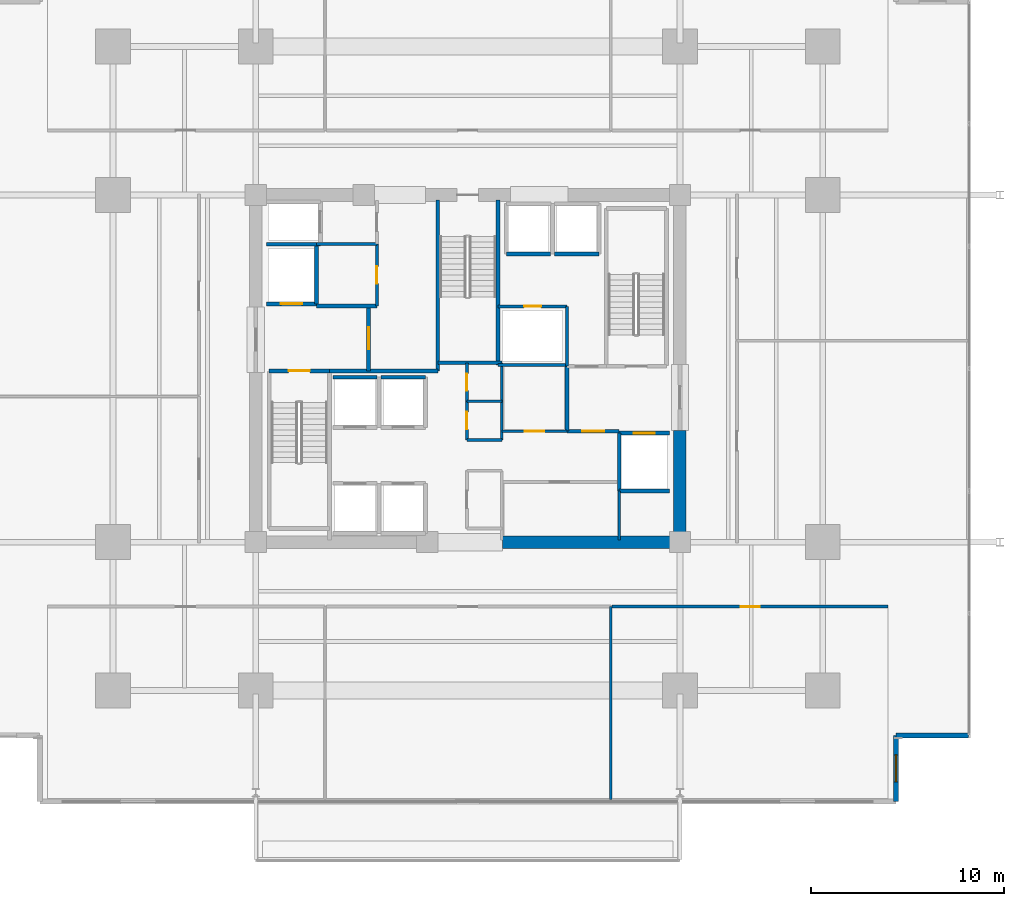
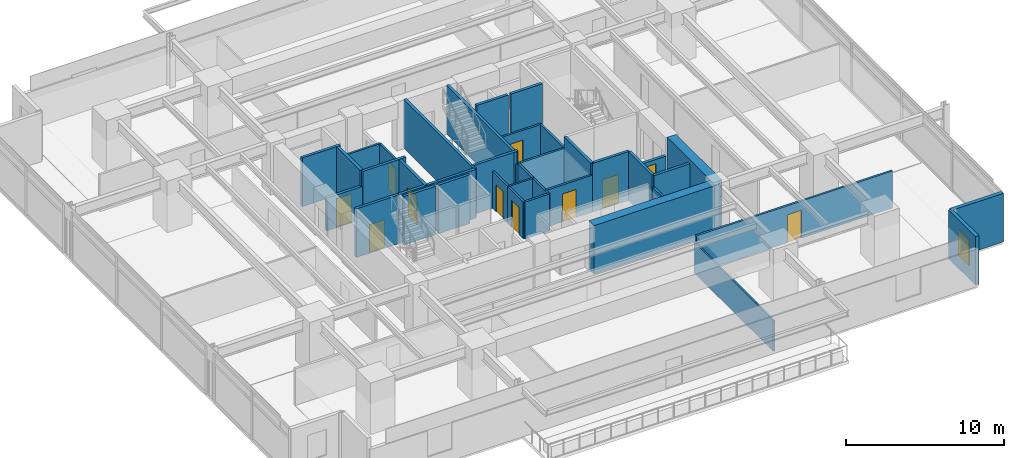
# One storey, part 18 of 25: 37 walls, 11 doors, 1 window, 12 openings.
"""IFC4 building model written with IfcOpenShell, lengths in metres."""

from ifc_helpers import new_model, si_unit, direction, frame, frame_2d, origin, place, context, subcontext, project, spatial, rectangle, extrude, material, layer, layer_set, type_object, element, fill, save


model = new_model("IFC4")

# Units and contexts
model_context = context("Model", 3, precision=1e-05, world=origin(), true_north=direction((0.0, 1.0)))
body_context = subcontext(model_context, "Body", "Model", "MODEL_VIEW")
ifc_project = project(units=[si_unit("LENGTHUNIT", "METRE"), si_unit("AREAUNIT", "SQUARE_METRE"), si_unit("VOLUMEUNIT", "CUBIC_METRE"), si_unit("PLANEANGLEUNIT", "RADIAN"), si_unit("MASSUNIT", "GRAM", prefix="KILO")], contexts=[model_context])

# Site, building, storey
site_placement = place(None, origin())
site = spatial("IfcSite", under=ifc_project, at=site_placement, CompositionType="ELEMENT")
building_placement = place(site_placement, origin())
building = spatial("IfcBuilding", under=site, at=building_placement, Name="Kovane Verandah Tower", CompositionType="ELEMENT")
storey_placement = place(building_placement, frame((0.0, 0.0, 67.60009765625)))
storey = spatial("IfcBuildingStorey", under=building, at=storey_placement, Name="L15", CompositionType="ELEMENT", Elevation=67.60009765625)

# Walls
ifc_material_1 = material(Name="Fire-Rated Gypsum Stud Partition", Category="gypsum")
ifc_layer_1 = layer(ifc_material_1, 0.14990234375)
ifc_layer_set_1 = layer_set([ifc_layer_1], Name="Fire-Rated Gypsum Stud Partition")
wall_type_1 = type_object("IfcWallType", Name="WL-COR-150", PredefinedType="PARTITIONING", material=ifc_layer_set_1)
wall_1_placement = place(storey_placement, frame((39.949951171875, 23.800048828125, 0.0), z_axis=(0.0, 0.0, 1.0), x_axis=(1.0, 0.0, 0.0)))
element("IfcWall", 1, at=wall_1_placement, inside=storey, type_object=wall_type_1, Name="L15 Core Cross-Passage North Wall", PredefinedType="PARTITIONING", context=body_context, shape_type="SweptSolid", body=[
    extrude(rectangle(XDim=1.81005859375, YDim=0.14990234375, at=frame_2d((0.905029296875, 0.0))), origin(), (0.0, 0.0, 1.0), 2.849853515625),
])
wall_2_placement = place(storey_placement, frame((41.760009765625, 23.800048828125, 0.0), z_axis=(0.0, 0.0, 1.0), x_axis=(0.0, 1.0, 0.0)))
element("IfcWall", 2, at=wall_2_placement, inside=storey, type_object=wall_type_1, Name="L15 Central Core Strip Upper East Wall", PredefinedType="PARTITIONING", context=body_context, shape_type="SweptSolid", body=[
    extrude(rectangle(XDim=4.0, YDim=0.14990234375, at=frame_2d((2.0, 0.0))), origin(), (0.0, 0.0, 1.0), 2.849853515625),
])

# Wall, opening, door
wall_3_placement = place(storey_placement, frame((39.949951171875, 23.800048828125, 0.0), z_axis=(0.0, 0.0, 1.0), x_axis=(0.0, 1.0, 0.0)))
wall_3 = element("IfcWall", 3, at=wall_3_placement, inside=storey, type_object=wall_type_1, Name="L15 Female Toilet Partition", PredefinedType="PARTITIONING", context=body_context, shape_type="SweptSolid", body=[
    extrude(rectangle(XDim=2.0, YDim=0.14990234375, at=frame_2d((1.0, 0.0))), origin(), (0.0, 0.0, 1.0), 2.849853515625),
])
opening_1_placement = place(wall_3_placement, frame((0.550048828125, 0.0, 0.0)))
opening_1 = element("IfcOpeningElement", 4, at=opening_1_placement, cuts=wall_3, Name="Opening DR-L15-025", PredefinedType="OPENING", context=body_context, shape_type="SweptSolid", body=[
    extrude(rectangle(XDim=0.89990234375, YDim=2.10009765625, at=frame_2d((0.449951171875, 1.050048828125))), frame((0.0, 0.074951171875, 0.0), z_axis=(0.0, -1.0, 0.0), x_axis=(1.0, 0.0, 0.0)), (0.0, 0.0, 1.0), 0.14990234375),
])
ifc_material_2 = material(Name="Moisture-Resistant Laminate Washroom Door", Category="wood")
door_type_1 = type_object("IfcDoorType", Name="DR-WC-900", OperationType="SINGLE_SWING_LEFT", PredefinedType="DOOR", material=ifc_material_2)
door_1_placement = place(opening_1_placement, origin())
door_1 = element("IfcDoor", 5, at=door_1_placement, inside=storey, type_object=door_type_1, Name="L15 Female Toilet Door", OperationType="SINGLE_SWING_LEFT", OverallHeight=2.10009765625, OverallWidth=0.89990234375, PredefinedType="DOOR", context=body_context, shape_type="SweptSolid", body=[
    extrude(rectangle(XDim=0.89990234375, YDim=2.10009765625, at=frame_2d((0.449951171875, 1.050048828125))), frame((0.0, 0.02490234375, 0.0), z_axis=(0.0, -1.0, 0.0), x_axis=(1.0, 0.0, 0.0)), (0.0, 0.0, 1.0), 0.050048828125),
])
fill(opening_1, door_1)

wall_4_placement = place(storey_placement, frame((39.949951171875, 25.800048828125, 0.0), z_axis=(0.0, 0.0, 1.0), x_axis=(0.0, 1.0, 0.0)))
wall_4 = element("IfcWall", 6, at=wall_4_placement, inside=storey, type_object=wall_type_1, Name="L15 Telecom and BMS Riser Room Partition", PredefinedType="PARTITIONING", context=body_context, shape_type="SweptSolid", body=[
    extrude(rectangle(XDim=2.0, YDim=0.14990234375, at=frame_2d((1.0, 0.0))), origin(), (0.0, 0.0, 1.0), 2.849853515625),
])
opening_2_placement = place(wall_4_placement, frame((0.56005859375, 0.0, 0.0)))
opening_2 = element("IfcOpeningElement", 7, at=opening_2_placement, cuts=wall_4, Name="Opening DR-L15-023", PredefinedType="OPENING", context=body_context, shape_type="SweptSolid", body=[
    extrude(rectangle(XDim=0.8798828125, YDim=2.10009765625, at=frame_2d((0.43994140625, 1.050048828125))), frame((0.0, 0.074951171875, 0.0), z_axis=(0.0, -1.0, 0.0), x_axis=(1.0, 0.0, 0.0)), (0.0, 0.0, 1.0), 0.14990234375),
])
ifc_material_3 = material(Name="Fire-Rated Steel Riser Access Door", Category="steel")
door_type_2 = type_object("IfcDoorType", Name="DR-RISER-880", OperationType="SINGLE_SWING_LEFT", PredefinedType="DOOR", material=ifc_material_3)
door_2_placement = place(opening_2_placement, origin())
door_2 = element("IfcDoor", 8, at=door_2_placement, inside=storey, type_object=door_type_2, Name="L15 Telecom and BMS Riser Room Door", OperationType="SINGLE_SWING_RIGHT", OverallHeight=2.10009765625, OverallWidth=0.8798828125, PredefinedType="DOOR", context=body_context, shape_type="SweptSolid", body=[
    extrude(rectangle(XDim=0.8798828125, YDim=2.10009765625, at=frame_2d((0.43994140625, 1.050048828125))), frame((0.0, 0.02490234375, 0.0), z_axis=(0.0, -1.0, 0.0), x_axis=(1.0, 0.0, 0.0)), (0.0, 0.0, 1.0), 0.050048828125),
])
fill(opening_2, door_2)

# Wall
wall_5_placement = place(storey_placement, frame((32.14990234375, 33.949951171875, 0.0), z_axis=(0.0, 0.0, 1.0), x_axis=(1.0, 0.0, 0.0)))
element("IfcWall", 9, at=wall_5_placement, inside=storey, type_object=wall_type_1, Name="L15 Goods Lift Lobby South Wall", PredefinedType="PARTITIONING", context=body_context, shape_type="SweptSolid", body=[
    extrude(rectangle(XDim=3.130126953125, YDim=0.14990234375, at=frame_2d((1.56494140625, 0.0))), origin(), (0.0, 0.0, 1.0), 2.849853515625),
])

# Wall, opening, door
wall_6_placement = place(storey_placement, frame((35.280029296875, 30.75, 0.0), z_axis=(0.0, 0.0, 1.0), x_axis=(0.0, 1.0, 0.0)))
wall_6 = element("IfcWall", 10, at=wall_6_placement, inside=storey, type_object=wall_type_1, Name="L15 Accessible Unisex Toilet Partition", PredefinedType="PARTITIONING", context=body_context, shape_type="SweptSolid", body=[
    extrude(rectangle(XDim=3.199951171875, YDim=0.14990234375, at=frame_2d((1.60009765625, 0.0))), origin(), (0.0, 0.0, 1.0), 2.849853515625),
])
opening_3_placement = place(wall_6_placement, frame((1.14990234375, 0.0, 0.0)))
opening_3 = element("IfcOpeningElement", 11, at=opening_3_placement, cuts=wall_6, Name="Opening DR-L15-024", PredefinedType="OPENING", context=body_context, shape_type="SweptSolid", body=[
    extrude(rectangle(XDim=0.89990234375, YDim=2.10009765625, at=frame_2d((0.449951171875, 1.050048828125))), frame((0.0, 0.074951171875, 0.0), z_axis=(0.0, -1.0, 0.0), x_axis=(1.0, 0.0, 0.0)), (0.0, 0.0, 1.0), 0.14990234375),
])
door_3_placement = place(opening_3_placement, origin())
door_3 = element("IfcDoor", 12, at=door_3_placement, inside=storey, type_object=door_type_1, Name="L15 Accessible Unisex Toilet Door", OperationType="SINGLE_SWING_RIGHT", OverallHeight=2.10009765625, OverallWidth=0.89990234375, PredefinedType="DOOR", context=body_context, shape_type="SweptSolid", body=[
    extrude(rectangle(XDim=0.89990234375, YDim=2.10009765625, at=frame_2d((0.449951171875, 1.050048828125))), frame((0.0, 0.02490234375, 0.0), z_axis=(0.0, -1.0, 0.0), x_axis=(1.0, 0.0, 0.0)), (0.0, 0.0, 1.0), 0.050048828125),
])
fill(opening_3, door_3)

# Walls
wall_7_placement = place(storey_placement, frame((41.56005859375, 27.679931640625, 0.0), z_axis=(0.0, 0.0, 1.0), x_axis=(1.0, 0.0, 0.0)))
element("IfcWall", 13, at=wall_7_placement, inside=storey, type_object=wall_type_1, Name="L15 East Core Service Riser South Wall", PredefinedType="PARTITIONING", context=body_context, shape_type="SweptSolid", body=[
    extrude(rectangle(XDim=3.58984375, YDim=0.14990234375, at=frame_2d((1.794921875, 0.0))), origin(), (0.0, 0.0, 1.0), 2.849853515625),
])
wall_8_placement = place(storey_placement, frame((47.85009765625, 18.60009765625, 0.0), z_axis=(0.0, 0.0, 1.0), x_axis=(0.0, 1.0, 0.0)))
element("IfcWall", 14, at=wall_8_placement, inside=storey, type_object=wall_type_1, Name="L15 East Core Support East Wall", PredefinedType="PARTITIONING", context=body_context, shape_type="SweptSolid", body=[
    extrude(rectangle(XDim=2.539794921875, YDim=0.14990234375, at=frame_2d((1.27001953125, 0.0))), origin(), (0.0, 0.0, 1.0), 2.849853515625),
])

# Wall, opening, door
wall_9_placement = place(storey_placement, frame((41.760009765625, 24.25, 0.0), z_axis=(0.0, 0.0, 1.0), x_axis=(1.0, 0.0, 0.0)))
wall_9 = element("IfcWall", 15, at=wall_9_placement, inside=storey, type_object=wall_type_1, Name="L15 Document Archive Room Partition", PredefinedType="PARTITIONING", context=body_context, shape_type="SweptSolid", body=[
    extrude(rectangle(XDim=3.389892578125, YDim=0.14990234375, at=frame_2d((1.69482421875, 0.0))), origin(), (0.0, 0.0, 1.0), 2.849853515625),
])
opening_4_placement = place(wall_9_placement, frame((1.195068359375, 0.0, 0.0)))
opening_4 = element("IfcOpeningElement", 16, at=opening_4_placement, cuts=wall_9, Name="Opening DR-L15-015", PredefinedType="OPENING", context=body_context, shape_type="SweptSolid", body=[
    extrude(rectangle(XDim=1.0, YDim=2.14990234375, at=frame_2d((0.5, 1.074951171875))), frame((0.0, 0.074951171875, 0.0), z_axis=(0.0, -1.0, 0.0), x_axis=(1.0, 0.0, 0.0)), (0.0, 0.0, 1.0), 0.14990234375),
])
ifc_material_4 = material(Name="FSC Spotted-Gum Timber Fire-Rated Office Door", Category="wood")
door_type_3 = type_object("IfcDoorType", Name="DR-OFF-1000", OperationType="SINGLE_SWING_LEFT", PredefinedType="DOOR", material=ifc_material_4)
door_4_placement = place(opening_4_placement, origin())
door_4 = element("IfcDoor", 17, at=door_4_placement, inside=storey, type_object=door_type_3, Name="L15 Document Archive Room Door", OperationType="SINGLE_SWING_RIGHT", OverallHeight=2.14990234375, OverallWidth=1.0, PredefinedType="DOOR", context=body_context, shape_type="SweptSolid", body=[
    extrude(rectangle(XDim=1.0, YDim=2.14990234375, at=frame_2d((0.5, 1.074951171875))), frame((0.0, 0.02490234375, 0.0), z_axis=(0.0, -1.0, 0.0), x_axis=(1.0, 0.0, 0.0)), (0.0, 0.0, 1.0), 0.050048828125),
])
fill(opening_4, door_4)

# Wall
wall_10_placement = place(storey_placement, frame((45.14990234375, 27.6201171875, 0.0), z_axis=(0.0, 0.0, 1.0), x_axis=(0.0, 1.0, 0.0)))
element("IfcWall", 18, at=wall_10_placement, inside=storey, type_object=wall_type_1, Name="L15 East Core Service Riser East Wall", PredefinedType="PARTITIONING", context=body_context, shape_type="SweptSolid", body=[
    extrude(rectangle(XDim=3.099853515625, YDim=0.14990234375, at=frame_2d((1.5498046875, 0.0))), origin(), (0.0, 0.0, 1.0), 2.849853515625),
])

# Wall, opening, door
wall_11_placement = place(storey_placement, frame((41.56005859375, 30.719970703125, 0.0), z_axis=(0.0, 0.0, 1.0), x_axis=(1.0, 0.0, 0.0)))
wall_11 = element("IfcWall", 19, at=wall_11_placement, inside=storey, type_object=wall_type_1, Name="L15 Combined Chilled Water and Smoke Duct Room Partition", PredefinedType="PARTITIONING", context=body_context, shape_type="SweptSolid", body=[
    extrude(rectangle(XDim=3.58984375, YDim=0.14990234375, at=frame_2d((1.794921875, 0.0))), origin(), (0.0, 0.0, 1.0), 2.849853515625),
])
opening_5_placement = place(wall_11_placement, frame((1.35498046875, 0.0, 0.0)))
opening_5 = element("IfcOpeningElement", 20, at=opening_5_placement, cuts=wall_11, Name="Opening DR-L15-016", PredefinedType="OPENING", context=body_context, shape_type="SweptSolid", body=[
    extrude(rectangle(XDim=0.8798828125, YDim=2.10009765625, at=frame_2d((0.43994140625, 1.050048828125))), frame((0.0, 0.074951171875, 0.0), z_axis=(0.0, -1.0, 0.0), x_axis=(1.0, 0.0, 0.0)), (0.0, 0.0, 1.0), 0.14990234375),
])
door_5_placement = place(opening_5_placement, origin())
door_5 = element("IfcDoor", 21, at=door_5_placement, inside=storey, type_object=door_type_2, Name="L15 Combined Chilled Water and Smoke Duct Room Door", OperationType="SINGLE_SWING_LEFT", OverallHeight=2.10009765625, OverallWidth=0.8798828125, PredefinedType="DOOR", context=body_context, shape_type="SweptSolid", body=[
    extrude(rectangle(XDim=0.8798828125, YDim=2.10009765625, at=frame_2d((0.43994140625, 1.050048828125))), frame((0.0, 0.02490234375, 0.0), z_axis=(0.0, -1.0, 0.0), x_axis=(1.0, 0.0, 0.0)), (0.0, 0.0, 1.0), 0.050048828125),
])
fill(opening_5, door_5)

wall_12_placement = place(storey_placement, frame((47.482421875, 15.14990234375, 0.0), z_axis=(0.0, 0.0, 1.0), x_axis=(1.0, 0.0, 0.0)))
wall_12 = element("IfcWall", 22, at=wall_12_placement, inside=storey, type_object=wall_type_1, Name="L15 Open Plan Office S3 Corridor Partition", PredefinedType="PARTITIONING", context=body_context, shape_type="SweptSolid", body=[
    extrude(rectangle(XDim=14.318603515625, YDim=0.14990234375, at=frame_2d((7.1591796875, 0.0))), origin(), (0.0, 0.0, 1.0), 2.849853515625),
])
opening_6_placement = place(wall_12_placement, frame((6.659423828125, 0.0, 0.0)))
opening_6 = element("IfcOpeningElement", 23, at=opening_6_placement, cuts=wall_12, Name="Opening DR-L15-022", PredefinedType="OPENING", context=body_context, shape_type="SweptSolid", body=[
    extrude(rectangle(XDim=1.0, YDim=2.14990234375, at=frame_2d((0.5, 1.074951171875))), frame((0.0, 0.074951171875, 0.0), z_axis=(0.0, -1.0, 0.0), x_axis=(1.0, 0.0, 0.0)), (0.0, 0.0, 1.0), 0.14990234375),
])
door_6_placement = place(opening_6_placement, origin())
door_6 = element("IfcDoor", 24, at=door_6_placement, inside=storey, type_object=door_type_3, Name="L15 Open Plan Office S3 Entrance Door", OperationType="SINGLE_SWING_LEFT", OverallHeight=2.14990234375, OverallWidth=1.0, PredefinedType="DOOR", context=body_context, shape_type="SweptSolid", body=[
    extrude(rectangle(XDim=1.0, YDim=2.14990234375, at=frame_2d((0.5, 1.074951171875))), frame((0.0, 0.02490234375, 0.0), z_axis=(0.0, -1.0, 0.0), x_axis=(1.0, 0.0, 0.0)), (0.0, 0.0, 1.0), 0.050048828125),
])
fill(opening_6, door_6)

# Walls
ifc_material_5 = material(Name="Concrete C80/95", Category="concrete")
ifc_layer_2 = layer(ifc_material_5, 0.64990234375)
ifc_layer_set_2 = layer_set([ifc_layer_2], Name="Concrete C80/95")
wall_type_2 = type_object("IfcWallType", Name="WL-CORE-650", PredefinedType="SHEAR", material=ifc_layer_set_2)
wall_13_placement = place(storey_placement, frame((41.800048828125, 18.5, 0.0), z_axis=(0.0, 0.0, 1.0), x_axis=(1.0, 0.0, 0.0)))
element("IfcWall", 25, at=wall_13_placement, inside=storey, type_object=wall_type_2, Name="L15 Core Shear Wall CS-2", PredefinedType="SHEAR", context=body_context, shape_type="SweptSolid", body=[
    extrude(rectangle(XDim=9.199951171875, YDim=0.64990234375, at=frame_2d((4.60009765625, 0.0))), origin(), (0.0, 0.0, 1.0), 3.760009765625),
])
wall_14_placement = place(storey_placement, frame((51.0, 18.5, 0.0), z_axis=(0.0, 0.0, 1.0), x_axis=(0.0, 1.0, 0.0)))
element("IfcWall", 26, at=wall_14_placement, inside=storey, type_object=wall_type_2, Name="L15 Core Shear Wall CE-1", PredefinedType="SHEAR", context=body_context, shape_type="SweptSolid", body=[
    extrude(rectangle(XDim=5.800048828125, YDim=0.64990234375, at=frame_2d((2.89990234375, 0.0))), origin(), (0.0, 0.0, 1.0), 3.760009765625),
])

# Wall, opening, door
ifc_material_6 = material(Name="Concrete C45/55 Fire Wall", Category="concrete")
ifc_layer_3 = layer(ifc_material_6, 0.199951171875)
ifc_layer_set_3 = layer_set([ifc_layer_3], Name="Concrete C45/55 Fire Wall")
wall_type_3 = type_object("IfcWallType", Name="WL-FFL-200", PredefinedType="PARTITIONING", material=ifc_layer_set_3)
wall_15_placement = place(storey_placement, frame((34.85009765625, 27.3798828125, 0.0), z_axis=(0.0, 0.0, 1.0), x_axis=(0.0, 1.0, 0.0)))
wall_15 = element("IfcWall", 27, at=wall_15_placement, inside=storey, type_object=wall_type_3, Name="W-L15-FFLW-E", PredefinedType="PARTITIONING", context=body_context, shape_type="SweptSolid", body=[
    extrude(rectangle(XDim=3.3701171875, YDim=0.199951171875, at=frame_2d((1.68505859375, 0.0))), origin(), (0.0, 0.0, 1.0), 3.760009765625),
])
opening_7_placement = place(wall_15_placement, frame((1.110107421875, 0.0, 0.0)))
opening_7 = element("IfcOpeningElement", 28, at=opening_7_placement, cuts=wall_15, Name="Opening DR-L15-006", PredefinedType="OPENING", context=body_context, shape_type="SweptSolid", body=[
    extrude(rectangle(XDim=1.14990234375, YDim=2.199951171875, at=frame_2d((0.574951171875, 1.10009765625))), frame((0.0, 0.10009765625, 0.0), z_axis=(0.0, -1.0, 0.0), x_axis=(1.0, 0.0, 0.0)), (0.0, 0.0, 1.0), 0.199951171875),
])
ifc_material_7 = material(Name="Smoke-Sealed Firefighting Lobby Door", Category="steel")
door_type_4 = type_object("IfcDoorType", Name="DR-FFL-1150", OperationType="SINGLE_SWING_LEFT", PredefinedType="DOOR", material=ifc_material_7)
door_7_placement = place(opening_7_placement, origin())
door_7 = element("IfcDoor", 29, at=door_7_placement, inside=storey, type_object=door_type_4, Name="L15 West Firefighting Lobby Inner Door", OperationType="SINGLE_SWING_LEFT", OverallHeight=2.199951171875, OverallWidth=1.14990234375, PredefinedType="DOOR", context=body_context, shape_type="SweptSolid", body=[
    extrude(rectangle(XDim=1.14990234375, YDim=2.199951171875, at=frame_2d((0.574951171875, 1.10009765625))), frame((0.0, 0.02490234375, 0.0), z_axis=(0.0, -1.0, 0.0), x_axis=(1.0, 0.0, 0.0)), (0.0, 0.0, 1.0), 0.050048828125),
])
fill(opening_7, door_7)

# Walls
wall_16_placement = place(storey_placement, frame((32.820068359375, 27.3798828125, 0.0), z_axis=(0.0, 0.0, 1.0), x_axis=(1.0, 0.0, 0.0)))
element("IfcWall", 30, at=wall_16_placement, inside=storey, type_object=wall_type_3, Name="L15 West Firefighting Lobby South Fire Wall", PredefinedType="PARTITIONING", context=body_context, shape_type="SweptSolid", body=[
    extrude(rectangle(XDim=5.619873046875, YDim=0.199951171875, at=frame_2d((2.81005859375, 0.0))), origin(), (0.0, 0.0, 1.0), 3.760009765625),
])
wall_17_placement = place(storey_placement, frame((32.14990234375, 30.75, 0.0), z_axis=(0.0, 0.0, 1.0), x_axis=(1.0, 0.0, 0.0)))
element("IfcWall", 31, at=wall_17_placement, inside=storey, type_object=wall_type_3, Name="L15 West Firefighting Lobby North Fire Wall", PredefinedType="PARTITIONING", context=body_context, shape_type="SweptSolid", body=[
    extrude(rectangle(XDim=3.130126953125, YDim=0.199951171875, at=frame_2d((1.56494140625, 0.0))), origin(), (0.0, 0.0, 1.0), 3.760009765625),
])
wall_18_placement = place(storey_placement, frame((45.14990234375, 24.25, 0.0), z_axis=(0.0, 0.0, 1.0), x_axis=(0.0, 1.0, 0.0)))
element("IfcWall", 32, at=wall_18_placement, inside=storey, type_object=wall_type_3, Name="L15 East Firefighting Lobby West Fire Wall", PredefinedType="PARTITIONING", context=body_context, shape_type="SweptSolid", body=[
    extrude(rectangle(XDim=3.3701171875, YDim=0.199951171875, at=frame_2d((1.68505859375, 0.0))), origin(), (0.0, 0.0, 1.0), 3.760009765625),
])

# Wall, opening, door
wall_19_placement = place(storey_placement, frame((45.14990234375, 24.25, 0.0), z_axis=(0.0, 0.0, 1.0), x_axis=(1.0, 0.0, 0.0)))
wall_19 = element("IfcWall", 33, at=wall_19_placement, inside=storey, type_object=wall_type_3, Name="W-L15-FFLE-S", PredefinedType="PARTITIONING", context=body_context, shape_type="SweptSolid", body=[
    extrude(rectangle(XDim=2.7001953125, YDim=0.199951171875, at=frame_2d((1.35009765625, 0.0))), origin(), (0.0, 0.0, 1.0), 3.760009765625),
])
opening_8_placement = place(wall_19_placement, frame((0.77490234375, 0.0, 0.0)))
opening_8 = element("IfcOpeningElement", 34, at=opening_8_placement, cuts=wall_19, Name="Opening DR-L15-003", PredefinedType="OPENING", context=body_context, shape_type="SweptSolid", body=[
    extrude(rectangle(XDim=1.14990234375, YDim=2.199951171875, at=frame_2d((0.574951171875, 1.10009765625))), frame((0.0, 0.10009765625, 0.0), z_axis=(0.0, -1.0, 0.0), x_axis=(1.0, 0.0, 0.0)), (0.0, 0.0, 1.0), 0.199951171875),
])
door_8_placement = place(opening_8_placement, origin())
door_8 = element("IfcDoor", 35, at=door_8_placement, inside=storey, type_object=door_type_4, Name="L15 East Firefighting Lobby Inner Door", OperationType="SINGLE_SWING_RIGHT", OverallHeight=2.199951171875, OverallWidth=1.14990234375, PredefinedType="DOOR", context=body_context, shape_type="SweptSolid", body=[
    extrude(rectangle(XDim=1.14990234375, YDim=2.199951171875, at=frame_2d((0.574951171875, 1.10009765625))), frame((0.0, 0.02490234375, 0.0), z_axis=(0.0, -1.0, 0.0), x_axis=(1.0, 0.0, 0.0)), (0.0, 0.0, 1.0), 0.050048828125),
])
fill(opening_8, door_8)

ifc_material_8 = material(Name="Concrete C45/55 Lift Shaft Wall", Category="concrete")
ifc_layer_4 = layer(ifc_material_8, 0.199951171875)
ifc_layer_set_4 = layer_set([ifc_layer_4], Name="Concrete C45/55 Lift Shaft Wall")
wall_type_4 = type_object("IfcWallType", Name="WL-LIFT-200", PredefinedType="SOLIDWALL", material=ifc_layer_set_4)
wall_20_placement = place(storey_placement, frame((29.550048828125, 30.85009765625, 0.0), z_axis=(0.0, 0.0, 1.0), x_axis=(1.0, 0.0, 0.0)))
wall_20 = element("IfcWall", 36, at=wall_20_placement, inside=storey, type_object=wall_type_4, Name="L15 Lift FL-01 S Shaft Wall", PredefinedType="SOLIDWALL", context=body_context, shape_type="SweptSolid", body=[
    extrude(rectangle(XDim=2.599853515625, YDim=0.199951171875, at=frame_2d((1.2998046875, 0.0))), origin(), (0.0, 0.0, 1.0), 2.539794921875),
])
opening_9_placement = place(wall_20_placement, frame((0.75, 0.0, 0.0)))
opening_9 = element("IfcOpeningElement", 37, at=opening_9_placement, cuts=wall_20, Name="Opening LD-L15-001", PredefinedType="OPENING", context=body_context, shape_type="SweptSolid", body=[
    extrude(rectangle(XDim=1.10009765625, YDim=2.199951171875, at=frame_2d((0.550048828125, 1.10009765625))), frame((0.0, 0.10009765625, 0.0), z_axis=(0.0, -1.0, 0.0), x_axis=(1.0, 0.0, 0.0)), (0.0, 0.0, 1.0), 0.199951171875),
])
ifc_material_9 = material(Name="Brushed Stainless Steel Sliding Lift Landing Door", Category="steel")
door_type_5 = type_object("IfcDoorType", Name="DR-LIFT-1100", OperationType="SLIDING_TO_RIGHT", PredefinedType="DOOR", material=ifc_material_9)
door_9_placement = place(opening_9_placement, origin())
door_9 = element("IfcDoor", 38, at=door_9_placement, inside=storey, type_object=door_type_5, Name="L15 Lift FL-01 Sliding Landing Door", OperationType="SLIDING_TO_RIGHT", OverallHeight=2.199951171875, OverallWidth=1.10009765625, PredefinedType="DOOR", context=body_context, shape_type="SweptSolid", body=[
    extrude(rectangle(XDim=1.10009765625, YDim=2.199951171875, at=frame_2d((0.550048828125, 1.10009765625))), frame((0.0, 0.02490234375, 0.0), z_axis=(0.0, -1.0, 0.0), x_axis=(1.0, 0.0, 0.0)), (0.0, 0.0, 1.0), 0.050048828125),
])
fill(opening_9, door_9)

# Walls
wall_21_placement = place(storey_placement, frame((29.550048828125, 33.949951171875, 0.0), z_axis=(0.0, 0.0, 1.0), x_axis=(1.0, 0.0, 0.0)))
element("IfcWall", 39, at=wall_21_placement, inside=storey, type_object=wall_type_4, Name="L15 Lift FL-01 and GL-01 Shared Shaft Wall", PredefinedType="SOLIDWALL", context=body_context, shape_type="SweptSolid", body=[
    extrude(rectangle(XDim=2.800048828125, YDim=0.199951171875, at=frame_2d((1.39990234375, 0.0))), origin(), (0.0, 0.0, 1.0), 3.760009765625),
])
wall_22_placement = place(storey_placement, frame((32.14990234375, 30.85009765625, 0.0), z_axis=(0.0, 0.0, 1.0), x_axis=(0.0, 1.0, 0.0)))
element("IfcWall", 40, at=wall_22_placement, inside=storey, type_object=wall_type_4, Name="L15 Lift FL-01 E Shaft Wall", PredefinedType="SOLIDWALL", context=body_context, shape_type="SweptSolid", body=[
    extrude(rectangle(XDim=3.0, YDim=0.199951171875, at=frame_2d((1.5, 0.0))), origin(), (0.0, 0.0, 1.0), 3.760009765625),
])
wall_23_placement = place(storey_placement, frame((47.85009765625, 21.14990234375, 0.0), z_axis=(0.0, 0.0, 1.0), x_axis=(1.0, 0.0, 0.0)))
element("IfcWall", 41, at=wall_23_placement, inside=storey, type_object=wall_type_4, Name="L15 Lift FL-02 S Shaft Wall", PredefinedType="SOLIDWALL", context=body_context, shape_type="SweptSolid", body=[
    extrude(rectangle(XDim=2.599853515625, YDim=0.199951171875, at=frame_2d((1.2998046875, 0.0))), origin(), (0.0, 0.0, 1.0), 3.760009765625),
])

# Wall, opening, door
wall_24_placement = place(storey_placement, frame((50.449951171875, 24.14990234375, 0.0), z_axis=(0.0, 0.0, 1.0), x_axis=(-1.0, 0.0, 0.0)))
wall_24 = element("IfcWall", 42, at=wall_24_placement, inside=storey, type_object=wall_type_4, Name="L15 Lift FL-02 N Shaft Wall", PredefinedType="SOLIDWALL", context=body_context, shape_type="SweptSolid", body=[
    extrude(rectangle(XDim=2.599853515625, YDim=0.199951171875, at=frame_2d((1.2998046875, 0.0))), origin(), (0.0, 0.0, 1.0), 2.539794921875),
])
opening_10_placement = place(wall_24_placement, frame((0.75, 0.0, 0.0)))
opening_10 = element("IfcOpeningElement", 43, at=opening_10_placement, cuts=wall_24, Name="Opening LD-L15-002", PredefinedType="OPENING", context=body_context, shape_type="SweptSolid", body=[
    extrude(rectangle(XDim=1.10009765625, YDim=2.199951171875, at=frame_2d((0.550048828125, 1.10009765625))), frame((0.0, 0.10009765625, 0.0), z_axis=(0.0, -1.0, 0.0), x_axis=(1.0, 0.0, 0.0)), (0.0, 0.0, 1.0), 0.199951171875),
])
door_10_placement = place(opening_10_placement, origin())
door_10 = element("IfcDoor", 44, at=door_10_placement, inside=storey, type_object=door_type_5, Name="L15 Lift FL-02 Sliding Landing Door", OperationType="SLIDING_TO_RIGHT", OverallHeight=2.199951171875, OverallWidth=1.10009765625, PredefinedType="DOOR", context=body_context, shape_type="SweptSolid", body=[
    extrude(rectangle(XDim=1.10009765625, YDim=2.199951171875, at=frame_2d((0.550048828125, 1.10009765625))), frame((0.0, 0.02490234375, 0.0), z_axis=(0.0, -1.0, 0.0), x_axis=(1.0, 0.0, 0.0)), (0.0, 0.0, 1.0), 0.050048828125),
])
fill(opening_10, door_10)

# Walls
wall_25_placement = place(storey_placement, frame((47.85009765625, 24.14990234375, 0.0), z_axis=(0.0, 0.0, 1.0), x_axis=(0.0, -1.0, 0.0)))
element("IfcWall", 45, at=wall_25_placement, inside=storey, type_object=wall_type_4, Name="L15 Lift FL-02 W Shaft Wall", PredefinedType="SOLIDWALL", context=body_context, shape_type="SweptSolid", body=[
    extrude(rectangle(XDim=3.0, YDim=0.199951171875, at=frame_2d((1.5, 0.0))), origin(), (0.0, 0.0, 1.0), 3.760009765625),
])
for number, where, z_axis, x_axis, name in (
    (46, (35.300048828125, 27.050048828125, 0.0), (0.0, 0.0, 1.0), (-1.0, 0.0, 0.0), "L15 Lift PL-L3 N Shaft Wall"),
    (47, (37.800048828125, 27.050048828125, 0.0), (0.0, 0.0, 1.0), (-1.0, 0.0, 0.0), "L15 Lift PL-L4 N Shaft Wall"),
    (48, (42.0, 33.449951171875, 0.0), (0.0, 0.0, 1.0), (1.0, 0.0, 0.0), "L15 Lift SL-01 S Shaft Wall"),
    (49, (44.5, 33.449951171875, 0.0), (0.0, 0.0, 1.0), (1.0, 0.0, 0.0), "L15 Lift OL-01 S Shaft Wall"),
):
    element("IfcWall", number, at=place(storey_placement, frame(where, z_axis=z_axis, x_axis=x_axis)), inside=storey, type_object=wall_type_4, Name=name, PredefinedType="SOLIDWALL", context=body_context, shape_type="SweptSolid", body=[
        extrude(rectangle(XDim=2.300048828125, YDim=0.199951171875, at=frame_2d((1.14990234375, 0.0))), origin(), (0.0, 0.0, 1.0), 3.760009765625),
    ])
ifc_material_10 = material(Name="Acoustic Fire-Rated Gypsum Partition", Category="gypsum")
ifc_layer_5 = layer(ifc_material_10, 0.1201171875)
ifc_layer_set_5 = layer_set([ifc_layer_5], Name="Acoustic Fire-Rated Gypsum Partition")
wall_type_5 = type_object("IfcWallType", Name="WL-PART-120", PredefinedType="PARTITIONING", material=ifc_layer_set_5)
wall_26_placement = place(storey_placement, frame((39.949951171875, 25.800048828125, 0.0), z_axis=(0.0, 0.0, 1.0), x_axis=(1.0, 0.0, 0.0)))
element("IfcWall", 50, at=wall_26_placement, inside=storey, type_object=wall_type_5, Name="L15 Central Core Strip Upper Dividing Partition", PredefinedType="PARTITIONING", context=body_context, shape_type="SweptSolid", body=[
    extrude(rectangle(XDim=1.81005859375, YDim=0.1201171875, at=frame_2d((0.905029296875, 0.0))), origin(), (0.0, 0.0, 1.0), 2.849853515625),
])
wall_27_placement = place(storey_placement, frame((47.412353515625, 5.1591796875, 0.0), z_axis=(0.0, 0.0, 1.0), x_axis=(0.0, 1.0, 0.0)))
element("IfcWall", 51, at=wall_27_placement, inside=storey, type_object=wall_type_5, Name="L15 Document and Print Room S2 Dividing Partition", PredefinedType="PARTITIONING", context=body_context, shape_type="SweptSolid", body=[
    extrude(rectangle(XDim=9.99072265625, YDim=0.1201171875, at=frame_2d((4.995361328125, 0.0))), origin(), (0.0, 0.0, 1.0), 2.389892578125),
])

# Wall, opening, door
ifc_material_11 = material(Name="Concrete C45/55", Category="concrete")
ifc_layer_6 = layer(ifc_material_11, 0.199951171875)
ifc_layer_set_6 = layer_set([ifc_layer_6], Name="Concrete C45/55")
wall_type_6 = type_object("IfcWallType", Name="WL-SHAFT-200", PredefinedType="SOLIDWALL", material=ifc_layer_set_6)
wall_28_placement = place(storey_placement, frame((29.699951171875, 27.3798828125, 0.0), z_axis=(0.0, 0.0, 1.0), x_axis=(1.0, 0.0, 0.0)))
wall_28 = element("IfcWall", 52, at=wall_28_placement, inside=storey, type_object=wall_type_6, Name="W-L15-ST01-N", PredefinedType="SOLIDWALL", context=body_context, shape_type="SweptSolid", body=[
    extrude(rectangle(XDim=3.1201171875, YDim=0.199951171875, at=frame_2d((1.56005859375, 0.0))), origin(), (0.0, 0.0, 1.0), 3.760009765625),
])
opening_11_placement = place(wall_28_placement, frame((1.010009765625, 0.0, 0.0)))
opening_11 = element("IfcOpeningElement", 53, at=opening_11_placement, cuts=wall_28, Name="Opening DR-L15-009", PredefinedType="OPENING", context=body_context, shape_type="SweptSolid", body=[
    extrude(rectangle(XDim=1.10009765625, YDim=2.14990234375, at=frame_2d((0.550048828125, 1.074951171875))), frame((0.0, 0.10009765625, 0.0), z_axis=(0.0, -1.0, 0.0), x_axis=(1.0, 0.0, 0.0)), (0.0, 0.0, 1.0), 0.199951171875),
])
ifc_material_12 = material(Name="Fire-Rated Steel Exit Door", Category="steel")
door_type_6 = type_object("IfcDoorType", Name="DR-STAIR-1100", OperationType="SINGLE_SWING_LEFT", PredefinedType="DOOR", material=ifc_material_12)
door_11_placement = place(opening_11_placement, origin())
door_11 = element("IfcDoor", 54, at=door_11_placement, inside=storey, type_object=door_type_6, Name="L15 ST-01 Fire Exit Stair Door", OperationType="SINGLE_SWING_LEFT", OverallHeight=2.14990234375, OverallWidth=1.10009765625, PredefinedType="DOOR", context=body_context, shape_type="SweptSolid", body=[
    extrude(rectangle(XDim=1.10009765625, YDim=2.14990234375, at=frame_2d((0.550048828125, 1.074951171875))), frame((0.0, 0.02490234375, 0.0), z_axis=(0.0, -1.0, 0.0), x_axis=(1.0, 0.0, 0.0)), (0.0, 0.0, 1.0), 0.050048828125),
])
fill(opening_11, door_11)

# Walls
wall_29_placement = place(storey_placement, frame((38.43994140625, 27.3798828125, 0.0), z_axis=(0.0, 0.0, 1.0), x_axis=(0.0, 1.0, 0.0)))
element("IfcWall", 55, at=wall_29_placement, inside=storey, type_object=wall_type_6, Name="W-L15-ST03-W", PredefinedType="SOLIDWALL", context=body_context, shape_type="SweptSolid", body=[
    extrude(rectangle(XDim=8.8701171875, YDim=0.199951171875, at=frame_2d((4.43505859375, 0.0))), origin(), (0.0, 0.0, 1.0), 3.760009765625),
])
wall_30_placement = place(storey_placement, frame((41.56005859375, 27.679931640625, 0.0), z_axis=(0.0, 0.0, 1.0), x_axis=(0.0, 1.0, 0.0)))
element("IfcWall", 56, at=wall_30_placement, inside=storey, type_object=wall_type_6, Name="W-L15-ST03-E", PredefinedType="SOLIDWALL", context=body_context, shape_type="SweptSolid", body=[
    extrude(rectangle(XDim=8.570068359375, YDim=0.199951171875, at=frame_2d((4.28515625, 0.0))), origin(), (0.0, 0.0, 1.0), 3.760009765625),
])
wall_31_placement = place(storey_placement, frame((38.43994140625, 27.800048828125, 0.0), z_axis=(0.0, 0.0, 1.0), x_axis=(1.0, 0.0, 0.0)))
element("IfcWall", 57, at=wall_31_placement, inside=storey, type_object=wall_type_6, Name="W-L15-ST03-S", PredefinedType="SOLIDWALL", context=body_context, shape_type="SweptSolid", body=[
    extrude(rectangle(XDim=3.320068359375, YDim=0.199951171875, at=frame_2d((1.66015625, 0.0))), origin(), (0.0, 0.0, 1.0), 3.760009765625),
])

# Wall, opening, window
ifc_material_13 = material(Name="Concrete C45/55 Insulated Spandrel Wall", Category="concrete")
ifc_layer_7 = layer(ifc_material_13, 0.260009765625)
ifc_layer_set_7 = layer_set([ifc_layer_7], Name="Concrete C45/55 Insulated Spandrel Wall")
wall_type_7 = type_object("IfcWallType", Name="WL-SPANDREL-260", PredefinedType="PARAPET", material=ifc_layer_set_7)
wall_32_placement = place(storey_placement, frame((62.201171875, 5.05908203125, 0.0), z_axis=(0.0, 0.0, 1.0), x_axis=(0.0, 1.0, 0.0)))
wall_32 = element("IfcWall", 58, at=wall_32_placement, inside=storey, type_object=wall_type_7, Name="L15 SE Notch Cheek Wall 1", PredefinedType="PARAPET", context=body_context, shape_type="SweptSolid", body=[
    extrude(rectangle(XDim=3.400146484375, YDim=0.260009765625, at=frame_2d((1.7001953125, 0.0))), origin(), (0.0, 0.0, 1.0), 3.760009765625),
])
opening_12_placement = place(wall_32_placement, frame((1.0, 0.0, 0.85009765625)))
opening_12 = element("IfcOpeningElement", 59, at=opening_12_placement, cuts=wall_32, Name="Opening W-01", PredefinedType="OPENING", context=body_context, shape_type="SweptSolid", body=[
    extrude(rectangle(XDim=1.39990234375, YDim=2.0, at=frame_2d((0.699951171875, 1.0))), frame((0.0, 0.1298828125, 0.0), z_axis=(0.0, -1.0, 0.0), x_axis=(1.0, 0.0, 0.0)), (0.0, 0.0, 1.0), 0.260009765625),
])
ifc_material_14 = material(Name="Clear Low-E Laminated Double Glazing in Anodised Frame", Category="glass")
window_type = type_object("IfcWindowType", Name="WN-OPER-1400x2000", PartitioningType="SINGLE_PANEL", PredefinedType="WINDOW", material=ifc_material_14)
window_placement = place(opening_12_placement, origin())
window = element("IfcWindow", 60, at=window_placement, inside=storey, type_object=window_type, Name="L15 SE Re-Entrant Corner Operable Window", OverallHeight=2.0, OverallWidth=1.39990234375, PartitioningType="SINGLE_PANEL", PredefinedType="WINDOW", context=body_context, shape_type="SweptSolid", body=[
    extrude(rectangle(XDim=1.39990234375, YDim=2.0, at=frame_2d((0.699951171875, 1.0))), frame((0.0, 0.030029296875, 0.0), z_axis=(0.0, -1.0, 0.0), x_axis=(1.0, 0.0, 0.0)), (0.0, 0.0, 1.0), 0.06005859375),
])
fill(opening_12, window)

# Wall
wall_33_placement = place(storey_placement, frame((62.201171875, 8.459228515625, 0.0), z_axis=(0.0, 0.0, 1.0), x_axis=(1.0, 0.0, 0.0)))
element("IfcWall", 61, at=wall_33_placement, inside=storey, type_object=wall_type_7, Name="L15 SE Notch Cheek Wall 2", PredefinedType="PARAPET", context=body_context, shape_type="SweptSolid", body=[
    extrude(rectangle(XDim=3.800048828125, YDim=0.260009765625, at=frame_2d((1.89990234375, 0.0))), origin(), (0.0, 0.0, 1.0), 3.760009765625),
])

save(model, "model.ifc")
